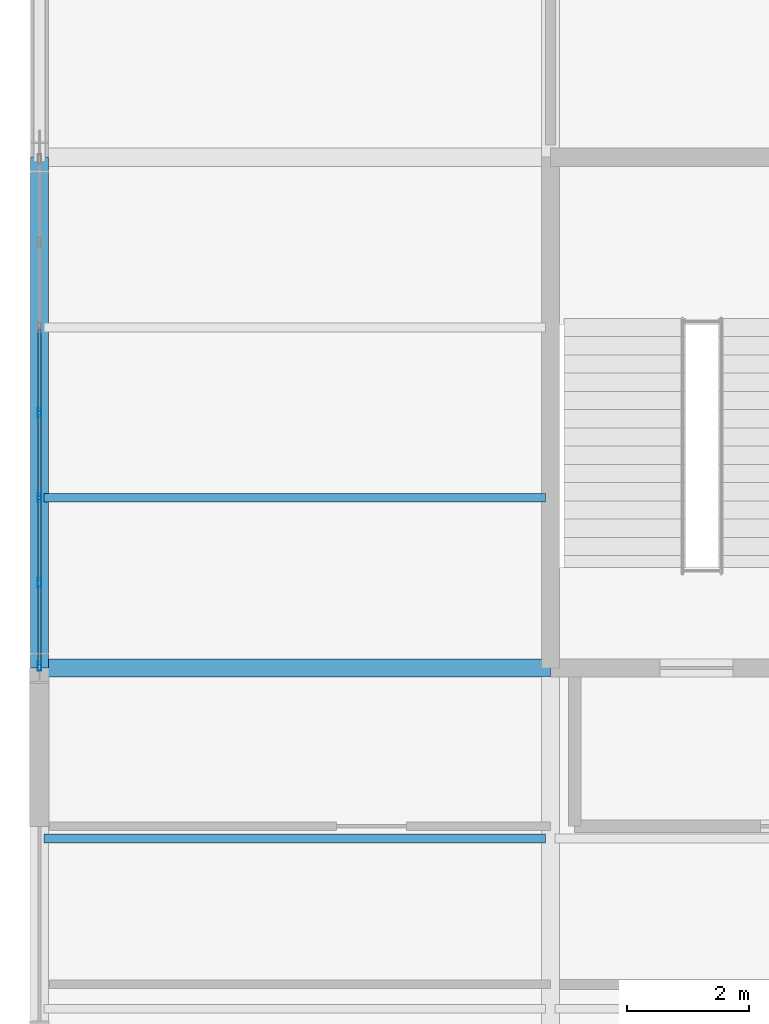
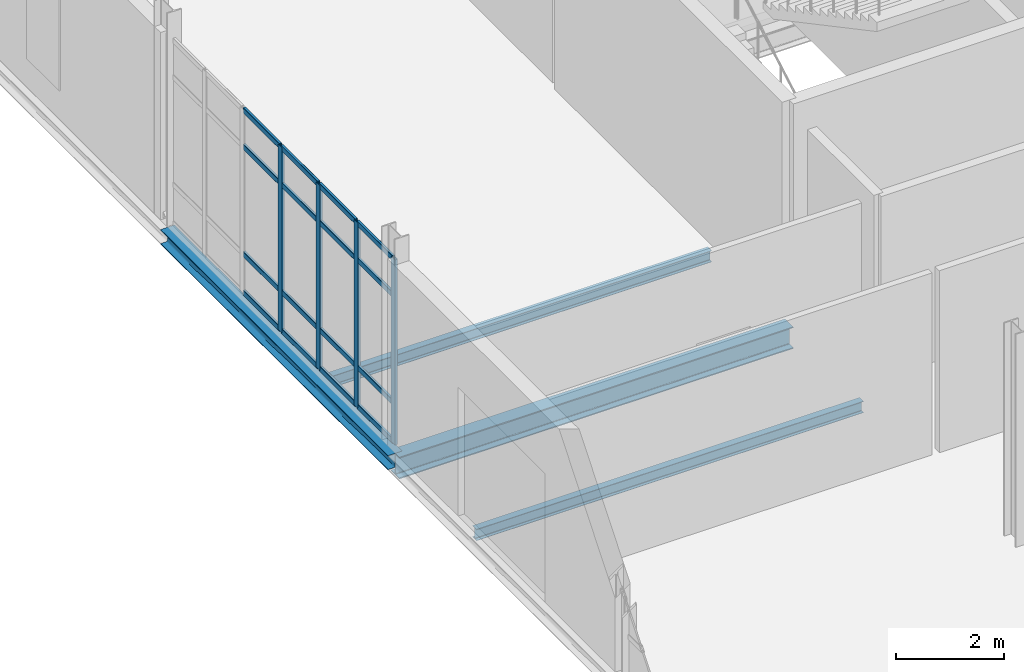
# One storey, part 37 of 145: 20 members, 4 beams, 1 element without a shape of its own.
"""IFC4 building model written with IfcOpenShell, lengths in metres."""

from ifc_helpers import new_model, si_unit, direction, frame, origin, origin_2d, place, context, subcontext, project, spatial, hollow_rectangle, i_section, extrude, material, layer, layer_set, material_profile, profile_set, type_object, element, aggregate, save


model = new_model("IFC4")

# Units and contexts
model_context = context("Model", 3, precision=1e-05, world=origin(), true_north=direction((0.0, 1.0)))
body_context = subcontext(model_context, "Body", "Model", "MODEL_VIEW")
ifc_project = project(units=[si_unit("LENGTHUNIT", "METRE"), si_unit("AREAUNIT", "SQUARE_METRE"), si_unit("VOLUMEUNIT", "CUBIC_METRE"), si_unit("PLANEANGLEUNIT", "RADIAN"), si_unit("MASSUNIT", "GRAM", prefix="KILO")], contexts=[model_context])

# Site, building, storey
site_placement = place(None, origin())
site = spatial("IfcSite", under=ifc_project, at=site_placement, CompositionType="ELEMENT")
building_placement = place(site_placement, origin())
building = spatial("IfcBuilding", under=site, at=building_placement, Name="Qalvenar Corner Mobility Hub", CompositionType="ELEMENT")
storey_placement = place(building_placement, origin())
storey = spatial("IfcBuildingStorey", under=building, at=storey_placement, Name="L00", CompositionType="ELEMENT", Elevation=0.0)

# Beams
ifc_material_1 = material(Name="Steel S355", Category="steel")
ifc_material_profile_1 = material_profile(ifc_material_1, i_section(OverallWidth=0.300048828125, OverallDepth=0.489990234375, WebThickness=0.011962890625, FlangeThickness=0.02294921875, FilletRadius=0.027099609375, at=origin_2d()), Name="HEA500")
ifc_profile_set_1 = profile_set([ifc_material_profile_1], Name="Steel S355")
beam_type_1 = type_object("IfcBeamType", Name="BM-HEA500", PredefinedType="BEAM", material=ifc_profile_set_1)
beam_1_placement = place(storey_placement, frame((0.0, 58.800048828125, -0.465087890625), z_axis=(1.0, 0.0, 0.0), x_axis=(0.0, 1.0, 0.0)))
element("IfcBeam", 1, at=beam_1_placement, inside=storey, type_object=beam_type_1, Name="Primary Steel Girder GX-0427", PredefinedType="BEAM", context=body_context, shape_type="SweptSolid", body=[
    extrude(i_section(OverallWidth=0.300048828125, OverallDepth=0.489990234375, WebThickness=0.011962890625, FlangeThickness=0.02294921875, FilletRadius=0.027099609375, at=origin_2d()), origin(), (0.0, 0.0, 1.0), 8.39990234375),
])
ifc_material_profile_2 = material_profile(ifc_material_1, i_section(OverallWidth=0.14599609375, OverallDepth=0.258056640625, WebThickness=0.006103515625, FlangeThickness=0.009033203125, FilletRadius=0.011962890625, at=origin_2d()), Name="W250x32.7")
ifc_profile_set_2 = profile_set([ifc_material_profile_2], Name="Steel S355")
beam_type_2 = type_object("IfcBeamType", Name="BM-JST250", PredefinedType="JOIST", material=ifc_profile_set_2)
for number, where, z_axis, x_axis, name in (
    (2, (0.077880859375, 56.0, -0.34912109375), (1.0, 0.0, 0.0), (0.0, 1.0, 0.0), "Composite Floor Joist J-0480"),
    (3, (0.077880859375, 61.60009765625, -0.34912109375), (1.0, 0.0, 0.0), (0.0, 1.0, 0.0), "Composite Floor Joist J-0481"),
):
    element("IfcBeam", number, at=place(storey_placement, frame(where, z_axis=z_axis, x_axis=x_axis)), inside=storey, type_object=beam_type_2, Name=name, PredefinedType="JOIST", context=body_context, shape_type="SweptSolid", body=[
        extrude(i_section(OverallWidth=0.14599609375, OverallDepth=0.258056640625, WebThickness=0.006103515625, FlangeThickness=0.009033203125, FilletRadius=0.011962890625, at=origin_2d()), origin(), (0.0, 0.0, 1.0), 8.244140625),
    ])
ifc_material_profile_3 = material_profile(ifc_material_1, i_section(OverallWidth=0.300048828125, OverallDepth=0.330078125, WebThickness=0.009521484375, FlangeThickness=0.0166015625, FilletRadius=0.027099609375, at=origin_2d()), Name="HEA340")
ifc_profile_set_3 = profile_set([ifc_material_profile_3], Name="Steel S355")
beam_type_3 = type_object("IfcBeamType", Name="BM-SPN340", PredefinedType="SPANDREL", material=ifc_profile_set_3)
beam_2_placement = place(storey_placement, frame((0.0, 58.800048828125, -0.385009765625), z_axis=(0.0, 1.0, 0.0), x_axis=(-1.0, 0.0, 0.0)))
element("IfcBeam", 4, at=beam_2_placement, inside=storey, type_object=beam_type_3, Name="Primary Steel Girder GY-0449", PredefinedType="SPANDREL", context=body_context, shape_type="SweptSolid", body=[
    extrude(i_section(OverallWidth=0.300048828125, OverallDepth=0.330078125, WebThickness=0.009521484375, FlangeThickness=0.0166015625, FilletRadius=0.027099609375, at=origin_2d()), origin(), (0.0, 0.0, 1.0), 8.39990234375),
])

# Curtain wall, members
ifc_material_2 = material(Name="Anodised Aluminium and Low-E Glazing", Category="aluminium")
ifc_layer = layer(ifc_material_2, 0.14990234375)
ifc_layer_set = layer_set([ifc_layer], Name="Anodised Aluminium and Low-E Glazing")
curtain_wall_type = type_object("IfcCurtainWallType", Name="CW-CYC-84X45", PredefinedType="NOTDEFINED", material=ifc_layer_set)
curtain_wall_placement = place(storey_placement, origin())
curtain_wall = element("IfcCurtainWall", 5, at=curtain_wall_placement, inside=storey, type_object=curtain_wall_type, Name="Glazed Curtain Wall CW-V5-L00-W2", PredefinedType="NOTDEFINED")
ifc_material_3 = material(Name="Anodised Aluminium 6063-T6", Category="aluminium")
ifc_material_profile_4 = material_profile(ifc_material_3, hollow_rectangle(XDim=0.06005859375, YDim=0.14990234375, WallThickness=0.00390625, InnerFilletRadius=0.00390625, OuterFilletRadius=0.008056640625, at=origin_2d()), Name="RHS150x60x4")
ifc_profile_set_4 = profile_set([ifc_material_profile_4], Name="Anodised Aluminium 6063-T6")
member_type_1 = type_object("IfcMemberType", Name="CW-MUL150", PredefinedType="MULLION", material=ifc_profile_set_4)
member_1_placement = place(storey_placement, frame((0.0, 63.0, 0.0), z_axis=(0.0, 0.0, 1.0), x_axis=(1.0, 0.0, 0.0)))
member_1 = element("IfcMember", 6, at=member_1_placement, type_object=member_type_1, Name="CW-07 mullion 4", PredefinedType="MULLION", context=body_context, shape_type="SweptSolid", body=[
    extrude(hollow_rectangle(XDim=0.06005859375, YDim=0.14990234375, WallThickness=0.00390625, InnerFilletRadius=0.00390625, OuterFilletRadius=0.008056640625, at=origin_2d()), origin(), (0.0, 0.0, 1.0), 4.169921875),
])
member_2_placement = place(storey_placement, frame((0.0, 61.60009765625, 0.0), z_axis=(0.0, 0.0, 1.0), x_axis=(1.0, 0.0, 0.0)))
member_2 = element("IfcMember", 7, at=member_2_placement, type_object=member_type_1, Name="CW-07 mullion 5", PredefinedType="MULLION", context=body_context, shape_type="SweptSolid", body=[
    extrude(hollow_rectangle(XDim=0.06005859375, YDim=0.14990234375, WallThickness=0.00390625, InnerFilletRadius=0.00390625, OuterFilletRadius=0.008056640625, at=origin_2d()), origin(), (0.0, 0.0, 1.0), 4.169921875),
])
member_3_placement = place(storey_placement, frame((0.0, 60.199951171875, 0.0), z_axis=(0.0, 0.0, 1.0), x_axis=(1.0, 0.0, 0.0)))
member_3 = element("IfcMember", 8, at=member_3_placement, type_object=member_type_1, Name="CW-07 mullion 6", PredefinedType="MULLION", context=body_context, shape_type="SweptSolid", body=[
    extrude(hollow_rectangle(XDim=0.06005859375, YDim=0.14990234375, WallThickness=0.00390625, InnerFilletRadius=0.00390625, OuterFilletRadius=0.008056640625, at=origin_2d()), origin(), (0.0, 0.0, 1.0), 4.169921875),
])
member_4_placement = place(storey_placement, frame((0.0, 58.830078125, 0.0), z_axis=(0.0, 0.0, 1.0), x_axis=(1.0, 0.0, 0.0)))
member_4 = element("IfcMember", 9, at=member_4_placement, type_object=member_type_1, Name="CW-07 mullion 7", PredefinedType="MULLION", context=body_context, shape_type="SweptSolid", body=[
    extrude(hollow_rectangle(XDim=0.06005859375, YDim=0.14990234375, WallThickness=0.00390625, InnerFilletRadius=0.00390625, OuterFilletRadius=0.008056640625, at=origin_2d()), origin(), (0.0, 0.0, 1.0), 4.169921875),
])
ifc_material_profile_5 = material_profile(ifc_material_3, hollow_rectangle(XDim=0.054931640625, YDim=0.1201171875, WallThickness=0.00341796875, InnerFilletRadius=0.00341796875, OuterFilletRadius=0.007080078125, at=origin_2d()), Name="RHS120x55x3.5")
ifc_profile_set_5 = profile_set([ifc_material_profile_5], Name="Anodised Aluminium 6063-T6")
member_type_2 = type_object("IfcMemberType", Name="CW-TRN120", PredefinedType="USERDEFINED", material=ifc_profile_set_5)
member_5_placement = place(storey_placement, frame((0.0, 64.3701171875, 0.027587890625), z_axis=(0.0, -1.0, 0.0), x_axis=(1.0, 0.0, 0.0)))
member_5 = element("IfcMember", 10, at=member_5_placement, type_object=member_type_2, Name="CW-07 transom 3.1", ObjectType="TRANSOM", PredefinedType="USERDEFINED", context=body_context, shape_type="SweptSolid", body=[
    extrude(hollow_rectangle(XDim=0.054931640625, YDim=0.1201171875, WallThickness=0.00341796875, InnerFilletRadius=0.00341796875, OuterFilletRadius=0.007080078125, at=origin_2d()), origin(), (0.0, 0.0, 1.0), 1.340087890625),
])
member_6_placement = place(storey_placement, frame((0.0, 64.3701171875, 0.89990234375), z_axis=(0.0, -1.0, 0.0), x_axis=(1.0, 0.0, 0.0)))
member_6 = element("IfcMember", 11, at=member_6_placement, type_object=member_type_2, Name="CW-07 transom 3.2", ObjectType="TRANSOM", PredefinedType="USERDEFINED", context=body_context, shape_type="SweptSolid", body=[
    extrude(hollow_rectangle(XDim=0.054931640625, YDim=0.1201171875, WallThickness=0.00341796875, InnerFilletRadius=0.00341796875, OuterFilletRadius=0.007080078125, at=origin_2d()), origin(), (0.0, 0.0, 1.0), 1.340087890625),
])
member_7_placement = place(storey_placement, frame((0.0, 64.3701171875, 3.320068359375), z_axis=(0.0, -1.0, 0.0), x_axis=(1.0, 0.0, 0.0)))
member_7 = element("IfcMember", 12, at=member_7_placement, type_object=member_type_2, Name="CW-07 transom 3.3", ObjectType="TRANSOM", PredefinedType="USERDEFINED", context=body_context, shape_type="SweptSolid", body=[
    extrude(hollow_rectangle(XDim=0.054931640625, YDim=0.1201171875, WallThickness=0.00341796875, InnerFilletRadius=0.00341796875, OuterFilletRadius=0.007080078125, at=origin_2d()), origin(), (0.0, 0.0, 1.0), 1.340087890625),
])
member_8_placement = place(storey_placement, frame((0.0, 64.3701171875, 4.142578125), z_axis=(0.0, -1.0, 0.0), x_axis=(1.0, 0.0, 0.0)))
member_8 = element("IfcMember", 13, at=member_8_placement, type_object=member_type_2, Name="CW-07 transom 3.4", ObjectType="TRANSOM", PredefinedType="USERDEFINED", context=body_context, shape_type="SweptSolid", body=[
    extrude(hollow_rectangle(XDim=0.054931640625, YDim=0.1201171875, WallThickness=0.00341796875, InnerFilletRadius=0.00341796875, OuterFilletRadius=0.007080078125, at=origin_2d()), origin(), (0.0, 0.0, 1.0), 1.340087890625),
])
member_9_placement = place(storey_placement, frame((0.0, 62.969970703125, 0.027587890625), z_axis=(0.0, -1.0, 0.0), x_axis=(1.0, 0.0, 0.0)))
member_9 = element("IfcMember", 14, at=member_9_placement, type_object=member_type_2, Name="CW-07 transom 4.1", ObjectType="TRANSOM", PredefinedType="USERDEFINED", context=body_context, shape_type="SweptSolid", body=[
    extrude(hollow_rectangle(XDim=0.054931640625, YDim=0.1201171875, WallThickness=0.00341796875, InnerFilletRadius=0.00341796875, OuterFilletRadius=0.007080078125, at=origin_2d()), origin(), (0.0, 0.0, 1.0), 1.340087890625),
])
member_10_placement = place(storey_placement, frame((0.0, 62.969970703125, 0.89990234375), z_axis=(0.0, -1.0, 0.0), x_axis=(1.0, 0.0, 0.0)))
member_10 = element("IfcMember", 15, at=member_10_placement, type_object=member_type_2, Name="CW-07 transom 4.2", ObjectType="TRANSOM", PredefinedType="USERDEFINED", context=body_context, shape_type="SweptSolid", body=[
    extrude(hollow_rectangle(XDim=0.054931640625, YDim=0.1201171875, WallThickness=0.00341796875, InnerFilletRadius=0.00341796875, OuterFilletRadius=0.007080078125, at=origin_2d()), origin(), (0.0, 0.0, 1.0), 1.340087890625),
])
member_11_placement = place(storey_placement, frame((0.0, 62.969970703125, 3.320068359375), z_axis=(0.0, -1.0, 0.0), x_axis=(1.0, 0.0, 0.0)))
member_11 = element("IfcMember", 16, at=member_11_placement, type_object=member_type_2, Name="CW-07 transom 4.3", ObjectType="TRANSOM", PredefinedType="USERDEFINED", context=body_context, shape_type="SweptSolid", body=[
    extrude(hollow_rectangle(XDim=0.054931640625, YDim=0.1201171875, WallThickness=0.00341796875, InnerFilletRadius=0.00341796875, OuterFilletRadius=0.007080078125, at=origin_2d()), origin(), (0.0, 0.0, 1.0), 1.340087890625),
])
member_12_placement = place(storey_placement, frame((0.0, 62.969970703125, 4.142578125), z_axis=(0.0, -1.0, 0.0), x_axis=(1.0, 0.0, 0.0)))
member_12 = element("IfcMember", 17, at=member_12_placement, type_object=member_type_2, Name="CW-07 transom 4.4", ObjectType="TRANSOM", PredefinedType="USERDEFINED", context=body_context, shape_type="SweptSolid", body=[
    extrude(hollow_rectangle(XDim=0.054931640625, YDim=0.1201171875, WallThickness=0.00341796875, InnerFilletRadius=0.00341796875, OuterFilletRadius=0.007080078125, at=origin_2d()), origin(), (0.0, 0.0, 1.0), 1.340087890625),
])
member_13_placement = place(storey_placement, frame((0.0, 61.570068359375, 0.027587890625), z_axis=(0.0, -1.0, 0.0), x_axis=(1.0, 0.0, 0.0)))
member_13 = element("IfcMember", 18, at=member_13_placement, type_object=member_type_2, Name="CW-07 transom 5.1", ObjectType="TRANSOM", PredefinedType="USERDEFINED", context=body_context, shape_type="SweptSolid", body=[
    extrude(hollow_rectangle(XDim=0.054931640625, YDim=0.1201171875, WallThickness=0.00341796875, InnerFilletRadius=0.00341796875, OuterFilletRadius=0.007080078125, at=origin_2d()), origin(), (0.0, 0.0, 1.0), 1.340087890625),
])
member_14_placement = place(storey_placement, frame((0.0, 61.570068359375, 0.89990234375), z_axis=(0.0, -1.0, 0.0), x_axis=(1.0, 0.0, 0.0)))
member_14 = element("IfcMember", 19, at=member_14_placement, type_object=member_type_2, Name="CW-07 transom 5.2", ObjectType="TRANSOM", PredefinedType="USERDEFINED", context=body_context, shape_type="SweptSolid", body=[
    extrude(hollow_rectangle(XDim=0.054931640625, YDim=0.1201171875, WallThickness=0.00341796875, InnerFilletRadius=0.00341796875, OuterFilletRadius=0.007080078125, at=origin_2d()), origin(), (0.0, 0.0, 1.0), 1.340087890625),
])
member_15_placement = place(storey_placement, frame((0.0, 61.570068359375, 3.320068359375), z_axis=(0.0, -1.0, 0.0), x_axis=(1.0, 0.0, 0.0)))
member_15 = element("IfcMember", 20, at=member_15_placement, type_object=member_type_2, Name="CW-07 transom 5.3", ObjectType="TRANSOM", PredefinedType="USERDEFINED", context=body_context, shape_type="SweptSolid", body=[
    extrude(hollow_rectangle(XDim=0.054931640625, YDim=0.1201171875, WallThickness=0.00341796875, InnerFilletRadius=0.00341796875, OuterFilletRadius=0.007080078125, at=origin_2d()), origin(), (0.0, 0.0, 1.0), 1.340087890625),
])
member_16_placement = place(storey_placement, frame((0.0, 61.570068359375, 4.142578125), z_axis=(0.0, -1.0, 0.0), x_axis=(1.0, 0.0, 0.0)))
member_16 = element("IfcMember", 21, at=member_16_placement, type_object=member_type_2, Name="CW-07 transom 5.4", ObjectType="TRANSOM", PredefinedType="USERDEFINED", context=body_context, shape_type="SweptSolid", body=[
    extrude(hollow_rectangle(XDim=0.054931640625, YDim=0.1201171875, WallThickness=0.00341796875, InnerFilletRadius=0.00341796875, OuterFilletRadius=0.007080078125, at=origin_2d()), origin(), (0.0, 0.0, 1.0), 1.340087890625),
])
member_17_placement = place(storey_placement, frame((0.0, 60.169921875, 0.027587890625), z_axis=(0.0, -1.0, 0.0), x_axis=(1.0, 0.0, 0.0)))
member_17 = element("IfcMember", 22, at=member_17_placement, type_object=member_type_2, Name="CW-07 transom 6.1", ObjectType="TRANSOM", PredefinedType="USERDEFINED", context=body_context, shape_type="SweptSolid", body=[
    extrude(hollow_rectangle(XDim=0.054931640625, YDim=0.1201171875, WallThickness=0.00341796875, InnerFilletRadius=0.00341796875, OuterFilletRadius=0.007080078125, at=origin_2d()), origin(), (0.0, 0.0, 1.0), 1.309814453125),
])
member_18_placement = place(storey_placement, frame((0.0, 60.169921875, 0.89990234375), z_axis=(0.0, -1.0, 0.0), x_axis=(1.0, 0.0, 0.0)))
member_18 = element("IfcMember", 23, at=member_18_placement, type_object=member_type_2, Name="CW-07 transom 6.2", ObjectType="TRANSOM", PredefinedType="USERDEFINED", context=body_context, shape_type="SweptSolid", body=[
    extrude(hollow_rectangle(XDim=0.054931640625, YDim=0.1201171875, WallThickness=0.00341796875, InnerFilletRadius=0.00341796875, OuterFilletRadius=0.007080078125, at=origin_2d()), origin(), (0.0, 0.0, 1.0), 1.309814453125),
])
member_19_placement = place(storey_placement, frame((0.0, 60.169921875, 3.320068359375), z_axis=(0.0, -1.0, 0.0), x_axis=(1.0, 0.0, 0.0)))
member_19 = element("IfcMember", 24, at=member_19_placement, type_object=member_type_2, Name="CW-07 transom 6.3", ObjectType="TRANSOM", PredefinedType="USERDEFINED", context=body_context, shape_type="SweptSolid", body=[
    extrude(hollow_rectangle(XDim=0.054931640625, YDim=0.1201171875, WallThickness=0.00341796875, InnerFilletRadius=0.00341796875, OuterFilletRadius=0.007080078125, at=origin_2d()), origin(), (0.0, 0.0, 1.0), 1.309814453125),
])
member_20_placement = place(storey_placement, frame((0.0, 60.169921875, 4.142578125), z_axis=(0.0, -1.0, 0.0), x_axis=(1.0, 0.0, 0.0)))
member_20 = element("IfcMember", 25, at=member_20_placement, type_object=member_type_2, Name="CW-07 transom 6.4", ObjectType="TRANSOM", PredefinedType="USERDEFINED", context=body_context, shape_type="SweptSolid", body=[
    extrude(hollow_rectangle(XDim=0.054931640625, YDim=0.1201171875, WallThickness=0.00341796875, InnerFilletRadius=0.00341796875, OuterFilletRadius=0.007080078125, at=origin_2d()), origin(), (0.0, 0.0, 1.0), 1.309814453125),
])
aggregate(curtain_wall, [member_1, member_2, member_3, member_4, member_5, member_6, member_7, member_8, member_9, member_10, member_11, member_12, member_13, member_14, member_15, member_16, member_17, member_18, member_19, member_20])

save(model, "model.ifc")
